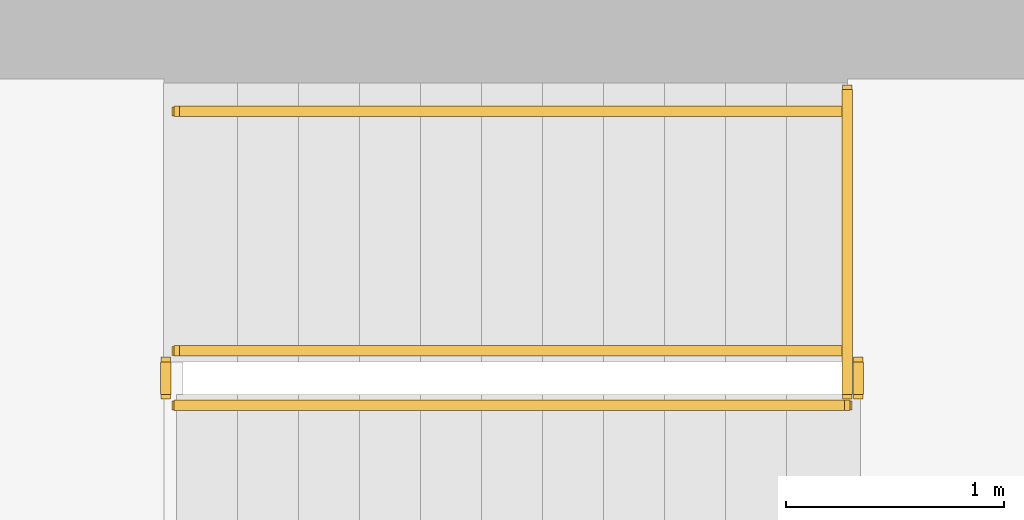
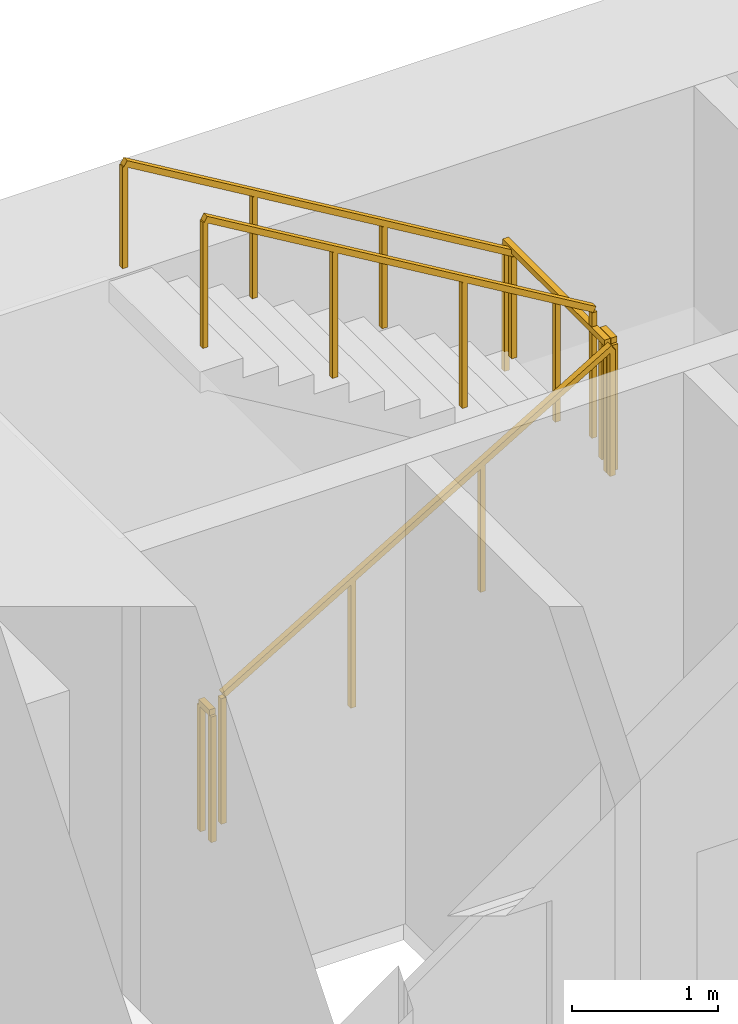
# One storey, part 14 of 15: 6 railings.
"""IFC4 building model written with IfcOpenShell, lengths in metres."""

from ifc_helpers import new_model, si_unit, direction, frame, origin, origin_2d, place, context, subcontext, project, spatial, rectangle, extrude, material, type_object, element, save


model = new_model("IFC4")

# Units and contexts
model_context = context("Model", 3, precision=1e-05, world=origin(), true_north=direction((0.0, 1.0)))
body_context = subcontext(model_context, "Body", "Model", "MODEL_VIEW")
ifc_project = project(units=[si_unit("LENGTHUNIT", "METRE"), si_unit("AREAUNIT", "SQUARE_METRE"), si_unit("VOLUMEUNIT", "CUBIC_METRE"), si_unit("PLANEANGLEUNIT", "RADIAN"), si_unit("MASSUNIT", "GRAM", prefix="KILO")], contexts=[model_context])

# Site, building, storey
site_placement = place(None, origin())
site = spatial("IfcSite", under=ifc_project, at=site_placement, CompositionType="ELEMENT")
building_placement = place(site_placement, origin())
building = spatial("IfcBuilding", under=site, at=building_placement, Name="Sennacour Bend Tower", CompositionType="ELEMENT")
storey_placement = place(building_placement, frame((0.0, 0.0, 37.0)))
storey = spatial("IfcBuildingStorey", under=building, at=storey_placement, Name="L07", CompositionType="ELEMENT", Elevation=37.0)

# Railings
ifc_material = material(Name="Stainless steel", Category="steel")
railing_type_1 = type_object("IfcRailingType", Name="RL-GUARD-1100", PredefinedType="GUARDRAIL", material=ifc_material)
railing_1_placement = place(storey_placement, frame((56.699951171875, 19.85009765625, 0.166748046875)))
element("IfcRailing", 1, at=railing_1_placement, inside=storey, type_object=railing_type_1, Name="L07 SA2 stair guard 1", PredefinedType="GUARDRAIL", context=body_context, shape_type="SweptSolid", body=[
    extrude(rectangle(XDim=0.048095703125, YDim=0.048095703125, at=origin_2d()), frame((0.0, 0.0, 1.076171875), z_axis=(0.859308565015, 0.0, 0.511457515432), x_axis=(0.0, 1.0, 0.0)), (0.0, 0.0, 1.0), 3.58447265625),
    extrude(rectangle(XDim=0.0419921875, YDim=0.0419921875, at=origin_2d()), origin(), (0.0, 0.0, 1.0), 1.052001953125),
    extrude(rectangle(XDim=0.0419921875, YDim=0.0419921875, at=origin_2d()), frame((1.026611328125, 0.0, 0.611083984375)), (0.0, 0.0, 1.0), 1.052001953125),
    extrude(rectangle(XDim=0.0419921875, YDim=0.0419921875, at=origin_2d()), frame((2.053466796875, 0.0, 1.22216796875)), (0.0, 0.0, 1.0), 1.052001953125),
    extrude(rectangle(XDim=0.0419921875, YDim=0.0419921875, at=origin_2d()), frame((3.080078125, 0.0, 1.833251953125)), (0.0, 0.0, 1.0), 1.052001953125),
])
railing_2_placement = place(storey_placement, frame((59.830078125, 19.89990234375, 2.0)))
element("IfcRailing", 2, at=railing_2_placement, inside=storey, type_object=railing_type_1, Name="L07 SA2 stair guard 2", PredefinedType="GUARDRAIL", context=body_context, shape_type="SweptSolid", body=[
    extrude(rectangle(XDim=0.048095703125, YDim=0.048095703125, at=origin_2d()), frame((0.0, 0.0, 1.076171875), z_axis=(0.0, 1.0, 0.0), x_axis=(-1.0, 0.0, 0.0)), (0.0, 0.0, 1.0), 0.150146484375),
    extrude(rectangle(XDim=0.0419921875, YDim=0.0419921875, at=origin_2d()), origin(), (0.0, 0.0, 1.0), 1.052001953125),
    extrude(rectangle(XDim=0.0419921875, YDim=0.0419921875, at=origin_2d()), frame((0.0, 0.150146484375, 0.0)), (0.0, 0.0, 1.0), 1.052001953125),
])
railing_3_placement = place(storey_placement, frame((59.780029296875, 20.10009765625, 2.166748046875)))
element("IfcRailing", 3, at=railing_3_placement, inside=storey, type_object=railing_type_1, Name="L07 SA2 stair guard 4", PredefinedType="GUARDRAIL", context=body_context, shape_type="SweptSolid", body=[
    extrude(rectangle(XDim=0.048095703125, YDim=0.048095703125, at=origin_2d()), frame((0.0, 0.0, 1.076171875), z_axis=(-0.859308565015, 0.0, 0.511457515432), x_axis=(0.0, -1.0, 0.0)), (0.0, 0.0, 1.0), 3.58447265625),
    extrude(rectangle(XDim=0.0419921875, YDim=0.0419921875, at=origin_2d()), origin(), (0.0, 0.0, 1.0), 1.052001953125),
    extrude(rectangle(XDim=0.0419921875, YDim=0.0419921875, at=origin_2d()), frame((-1.026611328125, 0.0, 0.611083984375)), (0.0, 0.0, 1.0), 1.052001953125),
    extrude(rectangle(XDim=0.0419921875, YDim=0.0419921875, at=origin_2d()), frame((-2.053466796875, 0.0, 1.22216796875)), (0.0, 0.0, 1.0), 1.052001953125),
    extrude(rectangle(XDim=0.0419921875, YDim=0.0419921875, at=origin_2d()), frame((-3.080078125, 0.0, 1.833251953125)), (0.0, 0.0, 1.0), 1.052001953125),
])
railing_4_placement = place(storey_placement, frame((56.64990234375, 19.89990234375, 0.0)))
element("IfcRailing", 4, at=railing_4_placement, inside=storey, type_object=railing_type_1, Name="L07 SA2 stair guard 5", PredefinedType="GUARDRAIL", context=body_context, shape_type="SweptSolid", body=[
    extrude(rectangle(XDim=0.048095703125, YDim=0.048095703125, at=origin_2d()), frame((0.0, 0.0, 1.076171875), z_axis=(0.0, 1.0, 0.0), x_axis=(-1.0, 0.0, 0.0)), (0.0, 0.0, 1.0), 0.150146484375),
    extrude(rectangle(XDim=0.0419921875, YDim=0.0419921875, at=origin_2d()), origin(), (0.0, 0.0, 1.0), 1.052001953125),
    extrude(rectangle(XDim=0.0419921875, YDim=0.0419921875, at=origin_2d()), frame((0.0, 0.150146484375, 0.0)), (0.0, 0.0, 1.0), 1.052001953125),
])
railing_5_placement = place(storey_placement, frame((59.780029296875, 19.89990234375, 2.0)))
element("IfcRailing", 5, at=railing_5_placement, inside=storey, type_object=railing_type_1, Name="L07 SA2 landing edge guard 18", PredefinedType="GUARDRAIL", context=body_context, shape_type="SweptSolid", body=[
    extrude(rectangle(XDim=0.048095703125, YDim=0.048095703125, at=origin_2d()), frame((0.0, 0.0, 1.076171875), z_axis=(0.0, 1.0, 0.0), x_axis=(-1.0, 0.0, 0.0)), (0.0, 0.0, 1.0), 1.400146484375),
    extrude(rectangle(XDim=0.0419921875, YDim=0.0419921875, at=origin_2d()), origin(), (0.0, 0.0, 1.0), 1.052001953125),
    extrude(rectangle(XDim=0.0419921875, YDim=0.0419921875, at=origin_2d()), frame((0.0, 0.7001953125, 0.0)), (0.0, 0.0, 1.0), 1.052001953125),
    extrude(rectangle(XDim=0.0419921875, YDim=0.0419921875, at=origin_2d()), frame((0.0, 1.400146484375, 0.0)), (0.0, 0.0, 1.0), 1.052001953125),
])
railing_type_2 = type_object("IfcRailingType", Name="RL-HANDRAIL-900", PredefinedType="HANDRAIL", material=ifc_material)
railing_6_placement = place(storey_placement, frame((59.780029296875, 21.199951171875, 2.166748046875)))
element("IfcRailing", 6, at=railing_6_placement, inside=storey, type_object=railing_type_2, Name="L07 SA2 stair handrail 2", PredefinedType="HANDRAIL", context=body_context, shape_type="SweptSolid", body=[
    extrude(rectangle(XDim=0.048095703125, YDim=0.048095703125, at=origin_2d()), frame((0.0, 0.0, 0.8759765625), z_axis=(-0.859308565015, 0.0, 0.511457515432), x_axis=(0.0, -1.0, 0.0)), (0.0, 0.0, 1.0), 3.58447265625),
    extrude(rectangle(XDim=0.0419921875, YDim=0.0419921875, at=origin_2d()), origin(), (0.0, 0.0, 1.0), 0.851806640625),
    extrude(rectangle(XDim=0.0419921875, YDim=0.0419921875, at=origin_2d()), frame((-1.026611328125, 0.0, 0.611083984375)), (0.0, 0.0, 1.0), 0.851806640625),
    extrude(rectangle(XDim=0.0419921875, YDim=0.0419921875, at=origin_2d()), frame((-2.053466796875, 0.0, 1.22216796875)), (0.0, 0.0, 1.0), 0.851806640625),
    extrude(rectangle(XDim=0.0419921875, YDim=0.0419921875, at=origin_2d()), frame((-3.080078125, 0.0, 1.833251953125)), (0.0, 0.0, 1.0), 0.851806640625),
])

save(model, "model.ifc")
